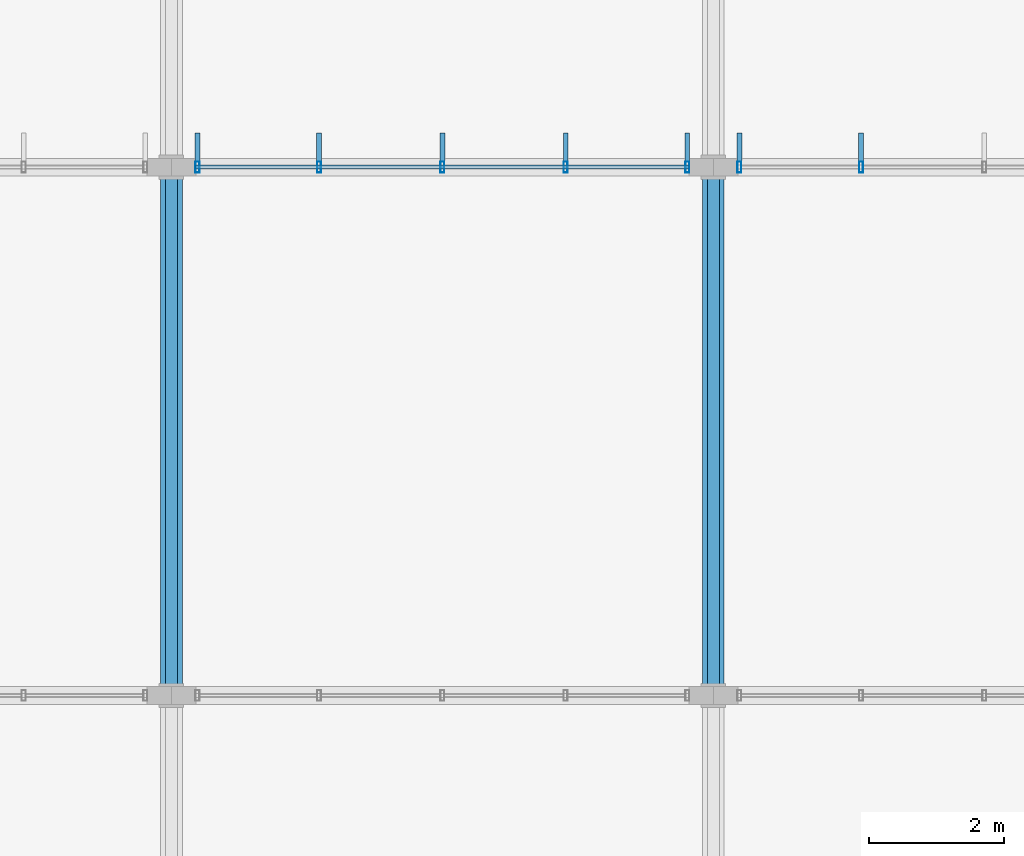
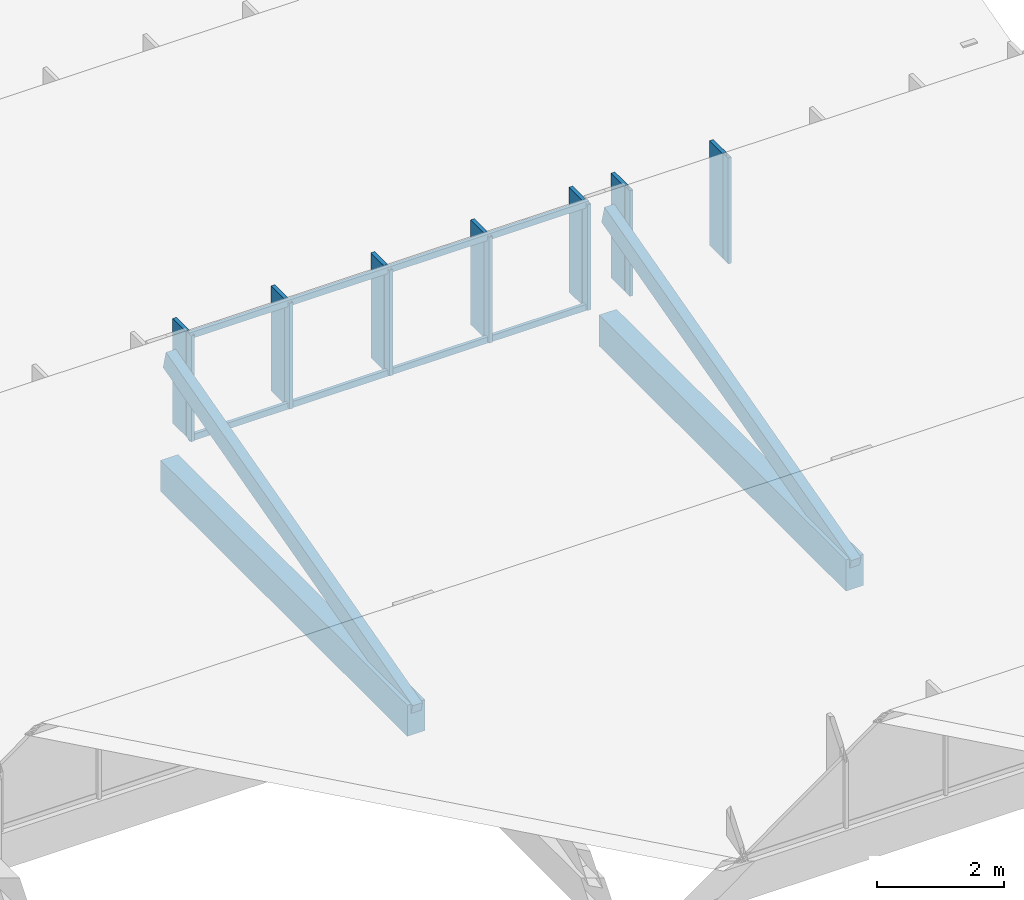
# One storey, part 18 of 94: 20 members, 2 elements without a shape of their own.
"""IFC4 building model written with IfcOpenShell, lengths in metres."""

from ifc_helpers import new_model, si_unit, direction, frame, origin, origin_2d, place, context, subcontext, project, spatial, rectangle, hollow_rectangle, extrude, material, material_profile, profile_set, type_object, element, aggregate, save


model = new_model("IFC4")

# Units and contexts
model_context = context("Model", 3, precision=1e-05, world=origin(), true_north=direction((0.0, 1.0)))
body_context = subcontext(model_context, "Body", "Model", "MODEL_VIEW")
ifc_project = project(units=[si_unit("LENGTHUNIT", "METRE"), si_unit("AREAUNIT", "SQUARE_METRE"), si_unit("VOLUMEUNIT", "CUBIC_METRE"), si_unit("PLANEANGLEUNIT", "RADIAN"), si_unit("MASSUNIT", "GRAM", prefix="KILO")], contexts=[model_context])

# Site, building, storey
site_placement = place(None, origin())
site = spatial("IfcSite", under=ifc_project, at=site_placement, CompositionType="ELEMENT")
building_placement = place(site_placement, origin())
building = spatial("IfcBuilding", under=site, at=building_placement, Name="Chiffa Square Polytechnic", CompositionType="ELEMENT")
storey_placement = place(building_placement, frame((0.0, 0.0, 18.0)))
storey = spatial("IfcBuildingStorey", under=building, at=storey_placement, Name="L04", CompositionType="ELEMENT", Elevation=18.0)

# Curtain wall, members
ifc_material_1 = material(Name="Aluminium EN AW-6060 T66 and glulam shading", Category="wood")
curtain_wall_type_1 = type_object("IfcCurtainWallType", Name="CW-VERT-540X440", PredefinedType="USERDEFINED", material=ifc_material_1)
curtain_wall_1_placement = place(storey_placement, origin())
curtain_wall_1 = element("IfcCurtainWall", 1, at=curtain_wall_1_placement, inside=storey, type_object=curtain_wall_type_1, Name="Curtain wall CW-V6-SAW4-3", ObjectType="CURTAIN WALL", PredefinedType="USERDEFINED")
ifc_material_2 = material(Name="Aluminium EN AW-6060 T66", Category="aluminium")
ifc_material_profile_1 = material_profile(ifc_material_2, hollow_rectangle(XDim=0.06005859375, YDim=0.159912109375, WallThickness=0.00390625, at=origin_2d()), Name="ALU 60x160x4")
ifc_profile_set_1 = profile_set([ifc_material_profile_1], Name="Aluminium EN AW-6060 T66")
member_type_1 = type_object("IfcMemberType", Name="CWM-ALU-65X150", PredefinedType="MULLION", material=ifc_profile_set_1)
member_1_placement = place(storey_placement, frame((23.614990234375, 65.39990234375, 0.699951171875), z_axis=(0.0, 0.0, 1.0), x_axis=(1.0, 0.0, 0.0)))
member_1 = element("IfcMember", 2, at=member_1_placement, type_object=member_type_1, Name="Curtain wall mullion CW-V6-SAW4-3-M00", PredefinedType="MULLION", context=body_context, shape_type="SweptSolid", body=[
    extrude(hollow_rectangle(XDim=0.06005859375, YDim=0.159912109375, WallThickness=0.00390625, at=origin_2d()), origin(), (0.0, 0.0, 1.0), 2.0400390625),
])
member_2_placement = place(storey_placement, frame((21.820068359375, 65.39990234375, 0.699951171875), z_axis=(0.0, 0.0, 1.0), x_axis=(1.0, 0.0, 0.0)))
member_2 = element("IfcMember", 3, at=member_2_placement, type_object=member_type_1, Name="Curtain wall mullion CW-V6-SAW4-3-M01", PredefinedType="MULLION", context=body_context, shape_type="SweptSolid", body=[
    extrude(hollow_rectangle(XDim=0.06005859375, YDim=0.159912109375, WallThickness=0.00390625, at=origin_2d()), origin(), (0.0, 0.0, 1.0), 2.0400390625),
])
member_3_placement = place(storey_placement, frame((20.0, 65.39990234375, 0.699951171875), z_axis=(0.0, 0.0, 1.0), x_axis=(1.0, 0.0, 0.0)))
member_3 = element("IfcMember", 4, at=member_3_placement, type_object=member_type_1, Name="Curtain wall mullion CW-V6-SAW4-3-M02", PredefinedType="MULLION", context=body_context, shape_type="SweptSolid", body=[
    extrude(hollow_rectangle(XDim=0.06005859375, YDim=0.159912109375, WallThickness=0.00390625, at=origin_2d()), origin(), (0.0, 0.0, 1.0), 2.0400390625),
])
member_4_placement = place(storey_placement, frame((18.179931640625, 65.39990234375, 0.699951171875), z_axis=(0.0, 0.0, 1.0), x_axis=(1.0, 0.0, 0.0)))
member_4 = element("IfcMember", 5, at=member_4_placement, type_object=member_type_1, Name="Curtain wall mullion CW-V6-SAW4-3-M03", PredefinedType="MULLION", context=body_context, shape_type="SweptSolid", body=[
    extrude(hollow_rectangle(XDim=0.06005859375, YDim=0.159912109375, WallThickness=0.00390625, at=origin_2d()), origin(), (0.0, 0.0, 1.0), 2.0400390625),
])
member_5_placement = place(storey_placement, frame((16.385009765625, 65.39990234375, 0.699951171875), z_axis=(0.0, 0.0, 1.0), x_axis=(1.0, 0.0, 0.0)))
member_5 = element("IfcMember", 6, at=member_5_placement, type_object=member_type_1, Name="Curtain wall mullion CW-V6-SAW4-3-M04", PredefinedType="MULLION", context=body_context, shape_type="SweptSolid", body=[
    extrude(hollow_rectangle(XDim=0.06005859375, YDim=0.159912109375, WallThickness=0.00390625, at=origin_2d()), origin(), (0.0, 0.0, 1.0), 2.0400390625),
])

curtain_wall_type_2 = type_object("IfcCurtainWallType", Name="CW-VERT-450X440", PredefinedType="USERDEFINED", material=ifc_material_1)
curtain_wall_2_placement = place(storey_placement, origin())
curtain_wall_2 = element("IfcCurtainWall", 7, at=curtain_wall_2_placement, inside=storey, type_object=curtain_wall_type_2, Name="Curtain wall CW-V6-SAW4-4", ObjectType="CURTAIN WALL", PredefinedType="USERDEFINED")
member_6_placement = place(storey_placement, frame((26.179931640625, 65.39990234375, 0.699951171875), z_axis=(0.0, 0.0, 1.0), x_axis=(1.0, 0.0, 0.0)))
member_6 = element("IfcMember", 8, at=member_6_placement, type_object=member_type_1, Name="Curtain wall mullion CW-V6-SAW4-4-M03", PredefinedType="MULLION", context=body_context, shape_type="SweptSolid", body=[
    extrude(hollow_rectangle(XDim=0.06005859375, YDim=0.159912109375, WallThickness=0.00390625, at=origin_2d()), origin(), (0.0, 0.0, 1.0), 2.0400390625),
])
member_7_placement = place(storey_placement, frame((24.385009765625, 65.39990234375, 0.699951171875), z_axis=(0.0, 0.0, 1.0), x_axis=(1.0, 0.0, 0.0)))
member_7 = element("IfcMember", 9, at=member_7_placement, type_object=member_type_1, Name="Curtain wall mullion CW-V6-SAW4-4-M04", PredefinedType="MULLION", context=body_context, shape_type="SweptSolid", body=[
    extrude(hollow_rectangle(XDim=0.06005859375, YDim=0.159912109375, WallThickness=0.00390625, at=origin_2d()), origin(), (0.0, 0.0, 1.0), 2.0400390625),
])

# Member
ifc_material_3 = material(Name="Glulam GL28h", Category="wood")
ifc_material_profile_2 = material_profile(ifc_material_3, rectangle(XDim=0.070068359375, YDim=0.419921875, at=origin_2d()), Name="GL28h 70x420")
ifc_profile_set_2 = profile_set([ifc_material_profile_2], Name="Glulam GL28h")
member_type_2 = type_object("IfcMemberType", Name="CWM-GL-70X420", PredefinedType="MULLION", material=ifc_profile_set_2)
member_8_placement = place(storey_placement, frame((23.614990234375, 65.69189453125, 0.7099609375), z_axis=(0.0, 0.0, 1.0), x_axis=(-1.0, 0.0, 0.0)))
member_8 = element("IfcMember", 10, at=member_8_placement, type_object=member_type_2, Name="Exterior glulam solar fin CW-V6-SAW4-3-FN00", PredefinedType="MULLION", context=body_context, shape_type="SweptSolid", body=[
    extrude(rectangle(XDim=0.070068359375, YDim=0.419921875, at=origin_2d()), origin(), (0.0, 0.0, 1.0), 2.02001953125),
])

member_9_placement = place(storey_placement, frame((21.820068359375, 65.69189453125, 0.7099609375), z_axis=(0.0, 0.0, 1.0), x_axis=(-1.0, 0.0, 0.0)))
member_9 = element("IfcMember", 11, at=member_9_placement, type_object=member_type_2, Name="Exterior glulam solar fin CW-V6-SAW4-3-FN01", PredefinedType="MULLION", context=body_context, shape_type="SweptSolid", body=[
    extrude(rectangle(XDim=0.070068359375, YDim=0.419921875, at=origin_2d()), origin(), (0.0, 0.0, 1.0), 2.02001953125),
])

member_10_placement = place(storey_placement, frame((20.0, 65.69189453125, 0.7099609375), z_axis=(0.0, 0.0, 1.0), x_axis=(-1.0, 0.0, 0.0)))
member_10 = element("IfcMember", 12, at=member_10_placement, type_object=member_type_2, Name="Exterior glulam solar fin CW-V6-SAW4-3-FN02", PredefinedType="MULLION", context=body_context, shape_type="SweptSolid", body=[
    extrude(rectangle(XDim=0.070068359375, YDim=0.419921875, at=origin_2d()), origin(), (0.0, 0.0, 1.0), 2.02001953125),
])

member_11_placement = place(storey_placement, frame((18.179931640625, 65.69189453125, 0.7099609375), z_axis=(0.0, 0.0, 1.0), x_axis=(-1.0, 0.0, 0.0)))
member_11 = element("IfcMember", 13, at=member_11_placement, type_object=member_type_2, Name="Exterior glulam solar fin CW-V6-SAW4-3-FN03", PredefinedType="MULLION", context=body_context, shape_type="SweptSolid", body=[
    extrude(rectangle(XDim=0.070068359375, YDim=0.419921875, at=origin_2d()), origin(), (0.0, 0.0, 1.0), 2.02001953125),
])

member_12_placement = place(storey_placement, frame((16.385009765625, 65.69189453125, 0.7099609375), z_axis=(0.0, 0.0, 1.0), x_axis=(-1.0, 0.0, 0.0)))
member_12 = element("IfcMember", 14, at=member_12_placement, type_object=member_type_2, Name="Exterior glulam solar fin CW-V6-SAW4-3-FN04", PredefinedType="MULLION", context=body_context, shape_type="SweptSolid", body=[
    extrude(rectangle(XDim=0.070068359375, YDim=0.419921875, at=origin_2d()), origin(), (0.0, 0.0, 1.0), 2.02001953125),
])

member_13_placement = place(storey_placement, frame((26.179931640625, 65.69189453125, 0.7099609375), z_axis=(0.0, 0.0, 1.0), x_axis=(-1.0, 0.0, 0.0)))
member_13 = element("IfcMember", 15, at=member_13_placement, type_object=member_type_2, Name="Exterior glulam solar fin CW-V6-SAW4-4-FN03", PredefinedType="MULLION", context=body_context, shape_type="SweptSolid", body=[
    extrude(rectangle(XDim=0.070068359375, YDim=0.419921875, at=origin_2d()), origin(), (0.0, 0.0, 1.0), 2.02001953125),
])

member_14_placement = place(storey_placement, frame((24.385009765625, 65.69189453125, 0.7099609375), z_axis=(0.0, 0.0, 1.0), x_axis=(-1.0, 0.0, 0.0)))
member_14 = element("IfcMember", 16, at=member_14_placement, type_object=member_type_2, Name="Exterior glulam solar fin CW-V6-SAW4-4-FN04", PredefinedType="MULLION", context=body_context, shape_type="SweptSolid", body=[
    extrude(rectangle(XDim=0.070068359375, YDim=0.419921875, at=origin_2d()), origin(), (0.0, 0.0, 1.0), 2.02001953125),
])

aggregate(curtain_wall_2, [member_6, member_13, member_7, member_14])

ifc_material_profile_3 = material_profile(ifc_material_2, hollow_rectangle(XDim=0.06005859375, YDim=0.1201171875, WallThickness=0.00390625, at=origin_2d()), Name="ALU 60x120x4")
ifc_profile_set_3 = profile_set([ifc_material_profile_3], Name="Aluminium EN AW-6060 T66")
member_type_3 = type_object("IfcMemberType", Name="CWT-ALU-65X120", PredefinedType="USERDEFINED", material=ifc_profile_set_3)
member_15_placement = place(storey_placement, frame((23.64208984375, 65.39990234375, 0.72998046875), z_axis=(-1.0, 0.0, 0.0), x_axis=(0.0, -1.0, 0.0)))
member_15 = element("IfcMember", 17, at=member_15_placement, type_object=member_type_3, Name="Curtain wall transom CW-V6-SAW4-3-T01", ObjectType="TRANSOM", PredefinedType="USERDEFINED", context=body_context, shape_type="SweptSolid", body=[
    extrude(hollow_rectangle(XDim=0.06005859375, YDim=0.1201171875, WallThickness=0.00390625, at=origin_2d()), origin(), (0.0, 0.0, 1.0), 7.2841796875),
])

member_16_placement = place(storey_placement, frame((23.64208984375, 65.39990234375, 2.7099609375), z_axis=(-1.0, 0.0, 0.0), x_axis=(0.0, -1.0, 0.0)))
member_16 = element("IfcMember", 18, at=member_16_placement, type_object=member_type_3, Name="Curtain wall transom CW-V6-SAW4-3-T02", ObjectType="TRANSOM", PredefinedType="USERDEFINED", context=body_context, shape_type="SweptSolid", body=[
    extrude(hollow_rectangle(XDim=0.06005859375, YDim=0.1201171875, WallThickness=0.00390625, at=origin_2d()), origin(), (0.0, 0.0, 1.0), 7.2841796875),
])

aggregate(curtain_wall_1, [member_1, member_8, member_2, member_9, member_3, member_10, member_4, member_11, member_5, member_12, member_15, member_16])

# Members
ifc_material_4 = material(Name="Glulam GL32c", Category="wood")
ifc_material_profile_4 = material_profile(ifc_material_4, rectangle(XDim=0.320068359375, YDim=0.60009765625, at=origin_2d()), Name="GL32c 320x600")
ifc_profile_set_4 = profile_set([ifc_material_profile_4], Name="Glulam GL32c")
member_type_4 = type_object("IfcMemberType", Name="MEM-CHORD-GL320", PredefinedType="CHORD", material=ifc_profile_set_4)
for number, where, z_axis, x_axis, name in (
    (19, (16.0, 57.60009765625, 0.179931640625), (0.0, 1.0, 0.0), (-1.0, 0.0, 0.0), "Studio sawtooth tie chord TCB-V6-SAW-018"),
    (20, (24.0, 57.60009765625, 0.179931640625), (0.0, 1.0, 0.0), (-1.0, 0.0, 0.0), "Studio sawtooth tie chord TCB-V6-SAW-019"),
):
    element("IfcMember", number, at=place(storey_placement, frame(where, z_axis=z_axis, x_axis=x_axis)), inside=storey, type_object=member_type_4, Name=name, PredefinedType="CHORD", context=body_context, shape_type="SweptSolid", body=[
        extrude(rectangle(XDim=0.320068359375, YDim=0.60009765625, at=origin_2d()), origin(), (0.0, 0.0, 1.0), 7.7998046875),
    ])
ifc_material_profile_5 = material_profile(ifc_material_3, rectangle(XDim=0.179931640625, YDim=0.360107421875, at=origin_2d()), Name="GL28h 180x360")
ifc_profile_set_5 = profile_set([ifc_material_profile_5], Name="Glulam GL28h")
member_type_5 = type_object("IfcMemberType", Name="MEM-RFT-GL180", PredefinedType="RAFTER", material=ifc_profile_set_5)
for number, where, z_axis, x_axis, name in (
    (21, (16.0, 57.60009765625, 0.300048828125), (0.0, 0.96592915804, 0.258806610518), (-1.0, 0.0, 0.0), "Studio sawtooth glulam rafter RF-V6-L04-018"),
    (22, (24.0, 57.60009765625, 0.300048828125), (0.0, 0.96592915804, 0.258806610518), (-1.0, 0.0, 0.0), "Studio sawtooth glulam rafter RF-V6-L04-019"),
):
    element("IfcMember", number, at=place(storey_placement, frame(where, z_axis=z_axis, x_axis=x_axis)), inside=storey, type_object=member_type_5, Name=name, PredefinedType="RAFTER", context=body_context, shape_type="SweptSolid", body=[
        extrude(rectangle(XDim=0.179931640625, YDim=0.360107421875, at=origin_2d()), origin(), (0.0, 0.0, 1.0), 8.074951171875),
    ])

save(model, "model.ifc")
